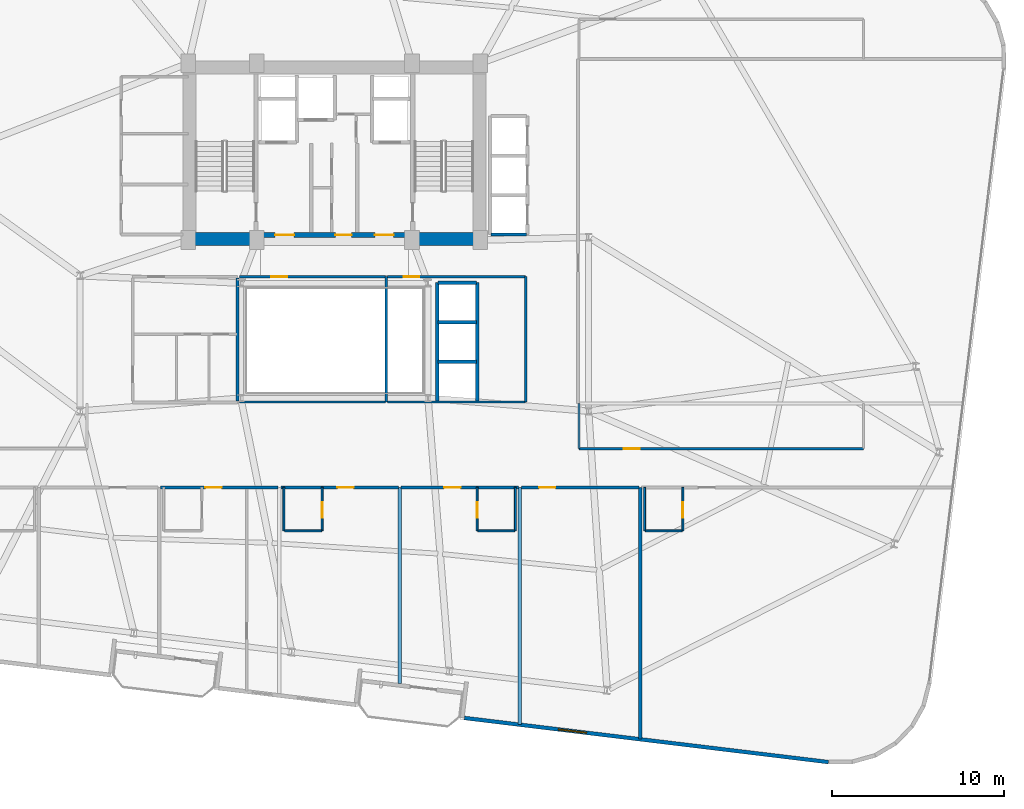
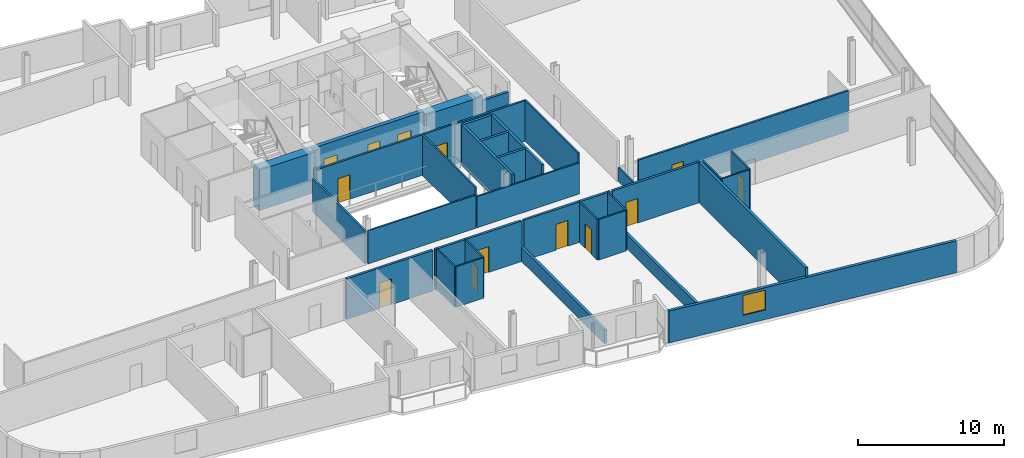
# One storey, part 21 of 26: 35 walls, 13 doors, 1 window, 14 openings.
"""IFC4 building model written with IfcOpenShell, lengths in metres."""

from ifc_helpers import new_model, si_unit, direction, frame, frame_2d, origin, place, context, subcontext, project, spatial, rectangle, extrude, material, layer, layer_set, type_object, element, fill, save


model = new_model("IFC4")

# Units and contexts
model_context = context("Model", 3, precision=1e-05, world=origin(), true_north=direction((0.0, 1.0)))
body_context = subcontext(model_context, "Body", "Model", "MODEL_VIEW")
ifc_project = project(units=[si_unit("LENGTHUNIT", "METRE"), si_unit("AREAUNIT", "SQUARE_METRE"), si_unit("VOLUMEUNIT", "CUBIC_METRE"), si_unit("PLANEANGLEUNIT", "RADIAN"), si_unit("MASSUNIT", "GRAM", prefix="KILO")], contexts=[model_context])

# Site, building, storey
site_placement = place(None, origin())
site = spatial("IfcSite", under=ifc_project, at=site_placement, CompositionType="ELEMENT")
building_placement = place(site_placement, origin())
building = spatial("IfcBuilding", under=site, at=building_placement, Name="Varnelok Gate Tower", CompositionType="ELEMENT")
storey_placement = place(building_placement, frame((0.0, 0.0, 158.699951171875)))
storey = spatial("IfcBuildingStorey", under=building, at=storey_placement, Name="L40", CompositionType="ELEMENT", Elevation=158.699951171875)

# Wall, opening, window
ifc_material_1 = material(Name="Concrete C45/55", Category="concrete")
ifc_layer_1 = layer(ifc_material_1, 0.219970703125)
ifc_layer_set_1 = layer_set([ifc_layer_1], Name="Concrete C45/55")
wall_type_1 = type_object("IfcWallType", Name="EW-BALC-220", PredefinedType="SOLIDWALL", material=ifc_layer_set_1)
wall_1_placement = place(storey_placement, frame((46.767578125, 0.93212890625, 0.0), z_axis=(0.0, 0.0, 1.0), x_axis=(0.992733036814, -0.120337515419, 0.0)))
wall_1 = element("IfcWall", 1, at=wall_1_placement, inside=storey, type_object=wall_type_1, Name="L40 Perimeter Facade Closure Wall 13", PredefinedType="SOLIDWALL", context=body_context, shape_type="SweptSolid", body=[
    extrude(rectangle(XDim=21.346923828125, YDim=0.219970703125, at=frame_2d((10.67333984375, 0.0))), origin(), (0.0, 0.0, 1.0), 2.66015625),
])
opening_1_placement = place(wall_1_placement, frame((5.51513671875, 0.0, 0.800048828125)))
opening_1 = element("IfcOpeningElement", 2, at=opening_1_placement, cuts=wall_1, Name="Opening WN3", PredefinedType="OPENING", context=body_context, shape_type="SweptSolid", body=[
    extrude(rectangle(XDim=1.64990234375, YDim=1.64990234375, at=frame_2d((0.824951171875, 0.824951171875))), frame((0.0, 0.119873046875, 0.0), z_axis=(0.0, -1.0, 0.0), x_axis=(1.0, 0.0, 0.0)), (0.0, 0.0, 1.0), 0.239990234375),
])
ifc_material_2 = material(Name="Low-E Laminated Double Glazing IGU", Category="glass")
window_type = type_object("IfcWindowType", Name="WN-HTL-1650", PartitioningType="SINGLE_PANEL", PredefinedType="WINDOW", material=ifc_material_2)
window_placement = place(opening_1_placement, origin())
window = element("IfcWindow", 3, at=window_placement, inside=storey, type_object=window_type, Name="L40 Perimeter Vision Window 13", OverallHeight=1.64990234375, OverallWidth=1.64990234375, PartitioningType="SINGLE_PANEL", PredefinedType="WINDOW", context=body_context, shape_type="SweptSolid", body=[
    extrude(rectangle(XDim=1.64990234375, YDim=1.64990234375, at=frame_2d((0.824951171875, 0.824951171875))), frame((0.0, 0.030029296875, 0.0), z_axis=(0.0, -1.0, 0.0), x_axis=(1.0, 0.0, 0.0)), (0.0, 0.0, 1.0), 0.06005859375),
])
fill(opening_1, window)

# Wall, opening, door
ifc_material_3 = material(Name="Gypsum Plasterboard Acoustic Partition", Category="gypsum")
ifc_layer_2 = layer(ifc_material_3, 0.179931640625)
ifc_layer_set_2 = layer_set([ifc_layer_2], Name="Gypsum Plasterboard Acoustic Partition")
wall_type_2 = type_object("IfcWallType", Name="PW-CORR-180", PredefinedType="PARTITIONING", material=ifc_layer_set_2)
wall_2_placement = place(storey_placement, frame((29.080078125, 14.35009765625, 0.0), z_axis=(0.0, 0.0, 1.0), x_axis=(1.0, 0.0, 0.0)))
wall_2 = element("IfcWall", 4, at=wall_2_placement, inside=storey, type_object=wall_type_2, Name="Interior Partition", PredefinedType="PARTITIONING", context=body_context, shape_type="SweptSolid", body=[
    extrude(rectangle(XDim=6.83984375, YDim=0.179931640625, at=frame_2d((3.419921875, 0.0))), origin(), (0.0, 0.0, 1.0), 3.380126953125),
])
opening_2_placement = place(wall_2_placement, frame((2.610107421875, 0.0, 0.0)))
opening_2 = element("IfcOpeningElement", 5, at=opening_2_placement, cuts=wall_2, Name="Opening D-HT", PredefinedType="OPENING", context=body_context, shape_type="SweptSolid", body=[
    extrude(rectangle(XDim=0.949951171875, YDim=2.14990234375, at=frame_2d((0.47509765625, 1.074951171875))), frame((0.0, 0.099853515625, 0.0), z_axis=(0.0, -1.0, 0.0), x_axis=(1.0, 0.0, 0.0)), (0.0, 0.0, 1.0), 0.199951171875),
])
ifc_material_4 = material(Name="Engineered Hardwood Timber", Category="wood")
door_type_1 = type_object("IfcDoorType", Name="DR-HTL-950", OperationType="NOTDEFINED", PredefinedType="DOOR", material=ifc_material_4)
door_1_placement = place(opening_2_placement, origin())
door_1 = element("IfcDoor", 6, at=door_1_placement, inside=storey, type_object=door_type_1, Name="L40 Guest Room 04 Entrance Door", OperationType="SINGLE_SWING_LEFT", OverallHeight=2.14990234375, OverallWidth=0.949951171875, PredefinedType="DOOR", context=body_context, shape_type="SweptSolid", body=[
    extrude(rectangle(XDim=0.949951171875, YDim=2.14990234375, at=frame_2d((0.47509765625, 1.074951171875))), frame((0.0, 0.02490234375, 0.0), z_axis=(0.0, -1.0, 0.0), x_axis=(1.0, 0.0, 0.0)), (0.0, 0.0, 1.0), 0.050048828125),
])
fill(opening_2, door_1)

wall_3_placement = place(storey_placement, frame((36.080078125, 14.35009765625, 0.0), z_axis=(0.0, 0.0, 1.0), x_axis=(1.0, 0.0, 0.0)))
wall_3 = element("IfcWall", 7, at=wall_3_placement, inside=storey, type_object=wall_type_2, Name="Interior Partition", PredefinedType="PARTITIONING", context=body_context, shape_type="SweptSolid", body=[
    extrude(rectangle(XDim=6.83984375, YDim=0.179931640625, at=frame_2d((3.419921875, 0.0))), origin(), (0.0, 0.0, 1.0), 3.380126953125),
])
opening_3_placement = place(wall_3_placement, frame((3.2900390625, 0.0, 0.0)))
opening_3 = element("IfcOpeningElement", 8, at=opening_3_placement, cuts=wall_3, Name="Opening D-HT", PredefinedType="OPENING", context=body_context, shape_type="SweptSolid", body=[
    extrude(rectangle(XDim=0.949951171875, YDim=2.14990234375, at=frame_2d((0.47509765625, 1.074951171875))), frame((0.0, 0.099853515625, 0.0), z_axis=(0.0, -1.0, 0.0), x_axis=(1.0, 0.0, 0.0)), (0.0, 0.0, 1.0), 0.199951171875),
])
door_2_placement = place(opening_3_placement, origin())
door_2 = element("IfcDoor", 9, at=door_2_placement, inside=storey, type_object=door_type_1, Name="L40 Guest Room 05 Entrance Door", OperationType="SINGLE_SWING_RIGHT", OverallHeight=2.14990234375, OverallWidth=0.949951171875, PredefinedType="DOOR", context=body_context, shape_type="SweptSolid", body=[
    extrude(rectangle(XDim=0.949951171875, YDim=2.14990234375, at=frame_2d((0.47509765625, 1.074951171875))), frame((0.0, 0.02490234375, 0.0), z_axis=(0.0, -1.0, 0.0), x_axis=(1.0, 0.0, 0.0)), (0.0, 0.0, 1.0), 0.050048828125),
])
fill(opening_3, door_2)

wall_4_placement = place(storey_placement, frame((43.080078125, 14.35009765625, 0.0), z_axis=(0.0, 0.0, 1.0), x_axis=(1.0, 0.0, 0.0)))
wall_4 = element("IfcWall", 10, at=wall_4_placement, inside=storey, type_object=wall_type_2, Name="Interior Partition", PredefinedType="PARTITIONING", context=body_context, shape_type="SweptSolid", body=[
    extrude(rectangle(XDim=6.83984375, YDim=0.179931640625, at=frame_2d((3.419921875, 0.0))), origin(), (0.0, 0.0, 1.0), 3.380126953125),
])
opening_4_placement = place(wall_4_placement, frame((2.514892578125, 0.0, 0.0)))
opening_4 = element("IfcOpeningElement", 11, at=opening_4_placement, cuts=wall_4, Name="Opening D-HT", PredefinedType="OPENING", context=body_context, shape_type="SweptSolid", body=[
    extrude(rectangle(XDim=0.949951171875, YDim=2.14990234375, at=frame_2d((0.47509765625, 1.074951171875))), frame((0.0, 0.099853515625, 0.0), z_axis=(0.0, -1.0, 0.0), x_axis=(1.0, 0.0, 0.0)), (0.0, 0.0, 1.0), 0.199951171875),
])
door_3_placement = place(opening_4_placement, origin())
door_3 = element("IfcDoor", 12, at=door_3_placement, inside=storey, type_object=door_type_1, Name="L40 Guest Room 06 Entrance Door", OperationType="SINGLE_SWING_LEFT", OverallHeight=2.14990234375, OverallWidth=0.949951171875, PredefinedType="DOOR", context=body_context, shape_type="SweptSolid", body=[
    extrude(rectangle(XDim=0.949951171875, YDim=2.14990234375, at=frame_2d((0.47509765625, 1.074951171875))), frame((0.0, 0.02490234375, 0.0), z_axis=(0.0, -1.0, 0.0), x_axis=(1.0, 0.0, 0.0)), (0.0, 0.0, 1.0), 0.050048828125),
])
fill(opening_4, door_3)

wall_5_placement = place(storey_placement, frame((50.080078125, 14.35009765625, 0.0), z_axis=(0.0, 0.0, 1.0), x_axis=(1.0, 0.0, 0.0)))
wall_5 = element("IfcWall", 13, at=wall_5_placement, inside=storey, type_object=wall_type_2, Name="Interior Partition", PredefinedType="PARTITIONING", context=body_context, shape_type="SweptSolid", body=[
    extrude(rectangle(XDim=6.83984375, YDim=0.179931640625, at=frame_2d((3.419921875, 0.0))), origin(), (0.0, 0.0, 1.0), 3.380126953125),
])
opening_5_placement = place(wall_5_placement, frame((1.03759765625, 0.0, 0.0)))
opening_5 = element("IfcOpeningElement", 14, at=opening_5_placement, cuts=wall_5, Name="Opening D-I2", PredefinedType="OPENING", context=body_context, shape_type="SweptSolid", body=[
    extrude(rectangle(XDim=0.949951171875, YDim=2.050048828125, at=frame_2d((0.47509765625, 1.02490234375))), frame((0.0, 0.099853515625, 0.0), z_axis=(0.0, -1.0, 0.0), x_axis=(1.0, 0.0, 0.0)), (0.0, 0.0, 1.0), 0.199951171875),
])
door_type_2 = type_object("IfcDoorType", Name="DR-INT-950", OperationType="NOTDEFINED", PredefinedType="DOOR", material=ifc_material_4)
door_4_placement = place(opening_5_placement, origin())
door_4 = element("IfcDoor", 15, at=door_4_placement, inside=storey, type_object=door_type_2, Name="L40 Wellness Spa Lounge Door", OperationType="SINGLE_SWING_LEFT", OverallHeight=2.050048828125, OverallWidth=0.949951171875, PredefinedType="DOOR", context=body_context, shape_type="SweptSolid", body=[
    extrude(rectangle(XDim=0.949951171875, YDim=2.050048828125, at=frame_2d((0.47509765625, 1.02490234375))), frame((0.0, 0.02490234375, 0.0), z_axis=(0.0, -1.0, 0.0), x_axis=(1.0, 0.0, 0.0)), (0.0, 0.0, 1.0), 0.050048828125),
])
fill(opening_5, door_4)

# Wall
ifc_layer_3 = layer(ifc_material_3, 0.114990234375)
ifc_layer_set_3 = layer_set([ifc_layer_3], Name="Gypsum Plasterboard Acoustic Partition")
wall_type_3 = type_object("IfcWallType", Name="PW-ENS-125", PredefinedType="PARTITIONING", material=ifc_layer_set_3)
wall_6_placement = place(storey_placement, frame((36.300048828125, 11.830078125, 0.0), z_axis=(0.0, 0.0, 1.0), x_axis=(1.0, 0.0, 0.0)))
element("IfcWall", 16, at=wall_6_placement, inside=storey, type_object=wall_type_3, Name="Interior Partition", PredefinedType="PARTITIONING", context=body_context, shape_type="SweptSolid", body=[
    extrude(rectangle(XDim=2.14990234375, YDim=0.114990234375, at=frame_2d((1.074951171875, 0.0))), origin(), (0.0, 0.0, 1.0), 3.380126953125),
])

# Wall, opening, door
wall_7_placement = place(storey_placement, frame((38.489990234375, 11.830078125, 0.0), z_axis=(0.0, 0.0, 1.0), x_axis=(0.0, 1.0, 0.0)))
wall_7 = element("IfcWall", 17, at=wall_7_placement, inside=storey, type_object=wall_type_3, Name="Interior Partition", PredefinedType="PARTITIONING", context=body_context, shape_type="SweptSolid", body=[
    extrude(rectangle(XDim=2.52001953125, YDim=0.114990234375, at=frame_2d((1.260009765625, 0.0))), origin(), (0.0, 0.0, 1.0), 3.380126953125),
])
opening_6_placement = place(wall_7_placement, frame((0.760009765625, 0.0, 0.0)))
opening_6 = element("IfcOpeningElement", 18, at=opening_6_placement, cuts=wall_7, Name="Opening D-WC", PredefinedType="OPENING", context=body_context, shape_type="SweptSolid", body=[
    extrude(rectangle(XDim=0.89990234375, YDim=2.050048828125, at=frame_2d((0.449951171875, 1.02490234375))), frame((0.0, 0.0673828125, 0.0), z_axis=(0.0, -1.0, 0.0), x_axis=(1.0, 0.0, 0.0)), (0.0, 0.0, 1.0), 0.135009765625),
])
door_type_3 = type_object("IfcDoorType", Name="DR-BATH-900", OperationType="NOTDEFINED", PredefinedType="DOOR", material=ifc_material_4)
door_5_placement = place(opening_6_placement, origin())
door_5 = element("IfcDoor", 19, at=door_5_placement, inside=storey, type_object=door_type_3, Name="L40 Guest En-Suite 05 Door", OperationType="SINGLE_SWING_LEFT", OverallHeight=2.050048828125, OverallWidth=0.89990234375, PredefinedType="DOOR", context=body_context, shape_type="SweptSolid", body=[
    extrude(rectangle(XDim=0.89990234375, YDim=2.050048828125, at=frame_2d((0.449951171875, 1.02490234375))), frame((0.0, 0.02490234375, 0.0), z_axis=(0.0, -1.0, 0.0), x_axis=(1.0, 0.0, 0.0)), (0.0, 0.0, 1.0), 0.050048828125),
])
fill(opening_6, door_5)

# Walls
wall_8_placement = place(storey_placement, frame((36.260009765625, 11.830078125, 0.0), z_axis=(0.0, 0.0, 1.0), x_axis=(0.0, 1.0, 0.0)))
element("IfcWall", 20, at=wall_8_placement, inside=storey, type_object=wall_type_3, Name="Interior Partition", PredefinedType="PARTITIONING", context=body_context, shape_type="SweptSolid", body=[
    extrude(rectangle(XDim=2.52001953125, YDim=0.114990234375, at=frame_2d((1.260009765625, 0.0))), origin(), (0.0, 0.0, 1.0), 3.380126953125),
])
wall_9_placement = place(storey_placement, frame((47.550048828125, 11.830078125, 0.0), z_axis=(0.0, 0.0, 1.0), x_axis=(1.0, 0.0, 0.0)))
element("IfcWall", 21, at=wall_9_placement, inside=storey, type_object=wall_type_3, Name="Interior Partition", PredefinedType="PARTITIONING", context=body_context, shape_type="SweptSolid", body=[
    extrude(rectangle(XDim=2.14990234375, YDim=0.114990234375, at=frame_2d((1.074951171875, 0.0))), origin(), (0.0, 0.0, 1.0), 3.380126953125),
])

# Wall, opening, door
wall_10_placement = place(storey_placement, frame((47.510009765625, 11.830078125, 0.0), z_axis=(0.0, 0.0, 1.0), x_axis=(0.0, 1.0, 0.0)))
wall_10 = element("IfcWall", 22, at=wall_10_placement, inside=storey, type_object=wall_type_3, Name="Interior Partition", PredefinedType="PARTITIONING", context=body_context, shape_type="SweptSolid", body=[
    extrude(rectangle(XDim=2.52001953125, YDim=0.114990234375, at=frame_2d((1.260009765625, 0.0))), origin(), (0.0, 0.0, 1.0), 3.380126953125),
])
opening_7_placement = place(wall_10_placement, frame((0.760009765625, 0.0, 0.0)))
opening_7 = element("IfcOpeningElement", 23, at=opening_7_placement, cuts=wall_10, Name="Opening D-WC", PredefinedType="OPENING", context=body_context, shape_type="SweptSolid", body=[
    extrude(rectangle(XDim=0.89990234375, YDim=2.050048828125, at=frame_2d((0.449951171875, 1.02490234375))), frame((0.0, 0.0673828125, 0.0), z_axis=(0.0, -1.0, 0.0), x_axis=(1.0, 0.0, 0.0)), (0.0, 0.0, 1.0), 0.135009765625),
])
door_6_placement = place(opening_7_placement, origin())
door_6 = element("IfcDoor", 24, at=door_6_placement, inside=storey, type_object=door_type_3, Name="L40 Guest En-Suite 06 Door", OperationType="SINGLE_SWING_RIGHT", OverallHeight=2.050048828125, OverallWidth=0.89990234375, PredefinedType="DOOR", context=body_context, shape_type="SweptSolid", body=[
    extrude(rectangle(XDim=0.89990234375, YDim=2.050048828125, at=frame_2d((0.449951171875, 1.02490234375))), frame((0.0, 0.02490234375, 0.0), z_axis=(0.0, -1.0, 0.0), x_axis=(1.0, 0.0, 0.0)), (0.0, 0.0, 1.0), 0.050048828125),
])
fill(opening_7, door_6)

# Walls
wall_11_placement = place(storey_placement, frame((49.739990234375, 11.830078125, 0.0), z_axis=(0.0, 0.0, 1.0), x_axis=(0.0, 1.0, 0.0)))
element("IfcWall", 25, at=wall_11_placement, inside=storey, type_object=wall_type_3, Name="Interior Partition", PredefinedType="PARTITIONING", context=body_context, shape_type="SweptSolid", body=[
    extrude(rectangle(XDim=2.52001953125, YDim=0.114990234375, at=frame_2d((1.260009765625, 0.0))), origin(), (0.0, 0.0, 1.0), 3.380126953125),
])
wall_12_placement = place(storey_placement, frame((57.300048828125, 11.830078125, 0.0), z_axis=(0.0, 0.0, 1.0), x_axis=(1.0, 0.0, 0.0)))
element("IfcWall", 26, at=wall_12_placement, inside=storey, type_object=wall_type_3, Name="Interior Partition", PredefinedType="PARTITIONING", context=body_context, shape_type="SweptSolid", body=[
    extrude(rectangle(XDim=2.14990234375, YDim=0.114990234375, at=frame_2d((1.074951171875, 0.0))), origin(), (0.0, 0.0, 1.0), 3.380126953125),
])

# Wall, opening, door
wall_13_placement = place(storey_placement, frame((59.489990234375, 11.830078125, 0.0), z_axis=(0.0, 0.0, 1.0), x_axis=(0.0, 1.0, 0.0)))
wall_13 = element("IfcWall", 27, at=wall_13_placement, inside=storey, type_object=wall_type_3, Name="Interior Partition", PredefinedType="PARTITIONING", context=body_context, shape_type="SweptSolid", body=[
    extrude(rectangle(XDim=2.52001953125, YDim=0.114990234375, at=frame_2d((1.260009765625, 0.0))), origin(), (0.0, 0.0, 1.0), 3.380126953125),
])
opening_8_placement = place(wall_13_placement, frame((0.760009765625, 0.0, 0.0)))
opening_8 = element("IfcOpeningElement", 28, at=opening_8_placement, cuts=wall_13, Name="Opening D-WC", PredefinedType="OPENING", context=body_context, shape_type="SweptSolid", body=[
    extrude(rectangle(XDim=0.89990234375, YDim=2.050048828125, at=frame_2d((0.449951171875, 1.02490234375))), frame((0.0, 0.0673828125, 0.0), z_axis=(0.0, -1.0, 0.0), x_axis=(1.0, 0.0, 0.0)), (0.0, 0.0, 1.0), 0.135009765625),
])
door_7_placement = place(opening_8_placement, origin())
door_7 = element("IfcDoor", 29, at=door_7_placement, inside=storey, type_object=door_type_3, Name="L40 Guest En-Suite 08 Door", OperationType="SINGLE_SWING_LEFT", OverallHeight=2.050048828125, OverallWidth=0.89990234375, PredefinedType="DOOR", context=body_context, shape_type="SweptSolid", body=[
    extrude(rectangle(XDim=0.89990234375, YDim=2.050048828125, at=frame_2d((0.449951171875, 1.02490234375))), frame((0.0, 0.02490234375, 0.0), z_axis=(0.0, -1.0, 0.0), x_axis=(1.0, 0.0, 0.0)), (0.0, 0.0, 1.0), 0.050048828125),
])
fill(opening_8, door_7)

# Walls
wall_14_placement = place(storey_placement, frame((57.260009765625, 11.830078125, 0.0), z_axis=(0.0, 0.0, 1.0), x_axis=(0.0, 1.0, 0.0)))
element("IfcWall", 30, at=wall_14_placement, inside=storey, type_object=wall_type_3, Name="Interior Partition", PredefinedType="PARTITIONING", context=body_context, shape_type="SweptSolid", body=[
    extrude(rectangle(XDim=2.52001953125, YDim=0.114990234375, at=frame_2d((1.260009765625, 0.0))), origin(), (0.0, 0.0, 1.0), 3.380126953125),
])
ifc_layer_4 = layer(ifc_material_3, 0.125)
ifc_layer_set_4 = layer_set([ifc_layer_4], Name="Gypsum Plasterboard Acoustic Partition")
wall_type_4 = type_object("IfcWallType", Name="PW-PART-125", PredefinedType="PARTITIONING", material=ifc_layer_set_4)
wall_15_placement = place(storey_placement, frame((33.679931640625, 19.320068359375, 0.0), z_axis=(0.0, 0.0, 1.0), x_axis=(1.0, 0.0, 0.0)))
element("IfcWall", 31, at=wall_15_placement, inside=storey, type_object=wall_type_4, Name="Interior Partition", PredefinedType="PARTITIONING", context=body_context, shape_type="SweptSolid", body=[
    extrude(rectangle(XDim=8.5, YDim=0.125, at=frame_2d((4.25, 0.0))), origin(), (0.0, 0.0, 1.0), 2.754150390625),
])
wall_16_placement = place(storey_placement, frame((42.219970703125, 19.320068359375, 0.0), z_axis=(0.0, 0.0, 1.0), x_axis=(0.0, 1.0, 0.0)))
element("IfcWall", 32, at=wall_16_placement, inside=storey, type_object=wall_type_4, Name="Interior Partition", PredefinedType="PARTITIONING", context=body_context, shape_type="SweptSolid", body=[
    extrude(rectangle(XDim=7.300048828125, YDim=0.125, at=frame_2d((3.64990234375, 0.0))), origin(), (0.0, 0.0, 1.0), 3.380126953125),
])
wall_17_placement = place(storey_placement, frame((42.280029296875, 19.320068359375, 0.0), z_axis=(0.0, 0.0, 1.0), x_axis=(1.0, 0.0, 0.0)))
element("IfcWall", 33, at=wall_17_placement, inside=storey, type_object=wall_type_4, Name="Interior Partition", PredefinedType="PARTITIONING", context=body_context, shape_type="SweptSolid", body=[
    extrude(rectangle(XDim=8.06005859375, YDim=0.125, at=frame_2d((4.030029296875, 0.0))), origin(), (0.0, 0.0, 1.0), 2.592041015625),
])
wall_18_placement = place(storey_placement, frame((50.340087890625, 19.320068359375, 0.0), z_axis=(0.0, 0.0, 1.0), x_axis=(0.0, 1.0, 0.0)))
element("IfcWall", 34, at=wall_18_placement, inside=storey, type_object=wall_type_4, Name="Interior Partition", PredefinedType="PARTITIONING", context=body_context, shape_type="SweptSolid", body=[
    extrude(rectangle(XDim=7.300048828125, YDim=0.125, at=frame_2d((3.64990234375, 0.0))), origin(), (0.0, 0.0, 1.0), 3.380126953125),
])
wall_19_placement = place(storey_placement, frame((53.449951171875, 16.610107421875, 0.0), z_axis=(0.0, 0.0, 1.0), x_axis=(0.0, 1.0, 0.0)))
element("IfcWall", 35, at=wall_19_placement, inside=storey, type_object=wall_type_4, Name="Interior Partition", PredefinedType="PARTITIONING", context=body_context, shape_type="SweptSolid", body=[
    extrude(rectangle(XDim=2.6298828125, YDim=0.125, at=frame_2d((1.31494140625, 0.0))), origin(), (0.0, 0.0, 1.0), 1.1650390625),
])

# Wall, opening, door
ifc_layer_5 = layer(ifc_material_3, 0.14990234375)
ifc_layer_set_5 = layer_set([ifc_layer_5], Name="Gypsum Plasterboard Acoustic Partition")
wall_type_5 = type_object("IfcWallType", Name="PW-PART-150", PredefinedType="PARTITIONING", material=ifc_layer_set_5)
wall_20_placement = place(storey_placement, frame((33.679931640625, 26.6201171875, 0.0), z_axis=(0.0, 0.0, 1.0), x_axis=(1.0, 0.0, 0.0)))
wall_20 = element("IfcWall", 36, at=wall_20_placement, inside=storey, type_object=wall_type_5, Name="Interior Partition", PredefinedType="PARTITIONING", context=body_context, shape_type="SweptSolid", body=[
    extrude(rectangle(XDim=8.5, YDim=0.14990234375, at=frame_2d((4.25, 0.0))), origin(), (0.0, 0.0, 1.0), 3.380126953125),
])
opening_9_placement = place(wall_20_placement, frame((1.85009765625, 0.0, 0.0)))
opening_9 = element("IfcOpeningElement", 37, at=opening_9_placement, cuts=wall_20, Name="Opening D-I3", PredefinedType="OPENING", context=body_context, shape_type="SweptSolid", body=[
    extrude(rectangle(XDim=0.919921875, YDim=2.050048828125, at=frame_2d((0.4599609375, 1.02490234375))), frame((0.0, 0.0849609375, 0.0), z_axis=(0.0, -1.0, 0.0), x_axis=(1.0, 0.0, 0.0)), (0.0, 0.0, 1.0), 0.169921875),
])
door_type_4 = type_object("IfcDoorType", Name="DR-INT-920", OperationType="NOTDEFINED", PredefinedType="DOOR", material=ifc_material_4)
door_8_placement = place(opening_9_placement, origin())
door_8 = element("IfcDoor", 38, at=door_8_placement, inside=storey, type_object=door_type_4, Name="L40 Concierge Reading Salon Door", OperationType="SINGLE_SWING_RIGHT", OverallHeight=2.050048828125, OverallWidth=0.919921875, PredefinedType="DOOR", context=body_context, shape_type="SweptSolid", body=[
    extrude(rectangle(XDim=0.919921875, YDim=2.050048828125, at=frame_2d((0.4599609375, 1.02490234375))), frame((0.0, 0.02490234375, 0.0), z_axis=(0.0, -1.0, 0.0), x_axis=(1.0, 0.0, 0.0)), (0.0, 0.0, 1.0), 0.050048828125),
])
fill(opening_9, door_8)

wall_21_placement = place(storey_placement, frame((42.280029296875, 26.6201171875, 0.0), z_axis=(0.0, 0.0, 1.0), x_axis=(1.0, 0.0, 0.0)))
wall_21 = element("IfcWall", 39, at=wall_21_placement, inside=storey, type_object=wall_type_5, Name="Interior Partition", PredefinedType="PARTITIONING", context=body_context, shape_type="SweptSolid", body=[
    extrude(rectangle(XDim=8.06005859375, YDim=0.14990234375, at=frame_2d((4.030029296875, 0.0))), origin(), (0.0, 0.0, 1.0), 3.380126953125),
])
opening_10_placement = place(wall_21_placement, frame((0.95361328125, 0.0, 0.0)))
opening_10 = element("IfcOpeningElement", 40, at=opening_10_placement, cuts=wall_21, Name="Opening D-I3", PredefinedType="OPENING", context=body_context, shape_type="SweptSolid", body=[
    extrude(rectangle(XDim=0.919921875, YDim=2.050048828125, at=frame_2d((0.4599609375, 1.02490234375))), frame((0.0, 0.0849609375, 0.0), z_axis=(0.0, -1.0, 0.0), x_axis=(1.0, 0.0, 0.0)), (0.0, 0.0, 1.0), 0.169921875),
])
door_9_placement = place(opening_10_placement, origin())
door_9 = element("IfcDoor", 41, at=door_9_placement, inside=storey, type_object=door_type_4, Name="L40 Executive Briefing Room Door", OperationType="SINGLE_SWING_LEFT", OverallHeight=2.050048828125, OverallWidth=0.919921875, PredefinedType="DOOR", context=body_context, shape_type="SweptSolid", body=[
    extrude(rectangle(XDim=0.919921875, YDim=2.050048828125, at=frame_2d((0.4599609375, 1.02490234375))), frame((0.0, 0.02490234375, 0.0), z_axis=(0.0, -1.0, 0.0), x_axis=(1.0, 0.0, 0.0)), (0.0, 0.0, 1.0), 0.050048828125),
])
fill(opening_10, door_9)

wall_22_placement = place(storey_placement, frame((53.449951171875, 16.610107421875, 0.0), z_axis=(0.0, 0.0, 1.0), x_axis=(1.0, 0.0, 0.0)))
wall_22 = element("IfcWall", 42, at=wall_22_placement, inside=storey, type_object=wall_type_5, Name="Interior Partition", PredefinedType="PARTITIONING", context=body_context, shape_type="SweptSolid", body=[
    extrude(rectangle(XDim=16.550048828125, YDim=0.14990234375, at=frame_2d((8.27490234375, 0.0))), origin(), (0.0, 0.0, 1.0), 3.380126953125),
])
opening_11_placement = place(wall_22_placement, frame((2.610107421875, 0.0, 0.0)))
opening_11 = element("IfcOpeningElement", 43, at=opening_11_placement, cuts=wall_22, Name="Opening D-I3", PredefinedType="OPENING", context=body_context, shape_type="SweptSolid", body=[
    extrude(rectangle(XDim=0.919921875, YDim=2.050048828125, at=frame_2d((0.4599609375, 1.02490234375))), frame((0.0, 0.0849609375, 0.0), z_axis=(0.0, -1.0, 0.0), x_axis=(1.0, 0.0, 0.0)), (0.0, 0.0, 1.0), 0.169921875),
])
door_10_placement = place(opening_11_placement, origin())
door_10 = element("IfcDoor", 44, at=door_10_placement, inside=storey, type_object=door_type_4, Name="L40 Atrium Room 2 Door", OperationType="SINGLE_SWING_LEFT", OverallHeight=2.050048828125, OverallWidth=0.919921875, PredefinedType="DOOR", context=body_context, shape_type="SweptSolid", body=[
    extrude(rectangle(XDim=0.919921875, YDim=2.050048828125, at=frame_2d((0.4599609375, 1.02490234375))), frame((0.0, 0.02490234375, 0.0), z_axis=(0.0, -1.0, 0.0), x_axis=(1.0, 0.0, 0.0)), (0.0, 0.0, 1.0), 0.050048828125),
])
fill(opening_11, door_10)

# Walls
wall_23_placement = place(storey_placement, frame((33.56005859375, 19.3798828125, 0.0), z_axis=(0.0, 0.0, 1.0), x_axis=(0.0, 1.0, 0.0)))
element("IfcWall", 45, at=wall_23_placement, inside=storey, type_object=wall_type_5, Name="Interior Partition", PredefinedType="PARTITIONING", context=body_context, shape_type="SweptSolid", body=[
    extrude(rectangle(XDim=7.16015625, YDim=0.14990234375, at=frame_2d((3.580078125, 0.0))), origin(), (0.0, 0.0, 1.0), 2.754150390625),
])
ifc_layer_6 = layer(ifc_material_3, 0.205078125)
ifc_layer_set_6 = layer_set([ifc_layer_6], Name="Gypsum Plasterboard Acoustic Partition")
wall_type_6 = type_object("IfcWallType", Name="PW-PARTY-200", PredefinedType="PARTITIONING", material=ifc_layer_set_6)
wall_24_placement = place(storey_placement, frame((43.0, 2.934326171875, 0.0), z_axis=(0.0, 0.0, 1.0), x_axis=(0.0, 1.0, 0.0)))
element("IfcWall", 46, at=wall_24_placement, inside=storey, type_object=wall_type_6, Name="L40 South Party Wall 5", PredefinedType="PARTITIONING", context=body_context, shape_type="SweptSolid", body=[
    extrude(rectangle(XDim=11.415771484375, YDim=0.205078125, at=frame_2d((5.7080078125, 0.0))), origin(), (0.0, 0.0, 1.0), 1.1650390625),
])
wall_25_placement = place(storey_placement, frame((50.0, 0.560546875, 0.0), z_axis=(0.0, 0.0, 1.0), x_axis=(0.0, 1.0, 0.0)))
element("IfcWall", 47, at=wall_25_placement, inside=storey, type_object=wall_type_6, Name="L40 South Party Wall 6", PredefinedType="PARTITIONING", context=body_context, shape_type="SweptSolid", body=[
    extrude(rectangle(XDim=13.78955078125, YDim=0.205078125, at=frame_2d((6.894775390625, 0.0))), origin(), (0.0, 0.0, 1.0), 1.1650390625),
])
wall_26_placement = place(storey_placement, frame((57.0, -0.2880859375, 0.0), z_axis=(0.0, 0.0, 1.0), x_axis=(0.0, 1.0, 0.0)))
element("IfcWall", 48, at=wall_26_placement, inside=storey, type_object=wall_type_6, Name="L40 South Party Wall 7", PredefinedType="PARTITIONING", context=body_context, shape_type="SweptSolid", body=[
    extrude(rectangle(XDim=14.63818359375, YDim=0.205078125, at=frame_2d((7.319091796875, 0.0))), origin(), (0.0, 0.0, 1.0), 3.380126953125),
])
ifc_material_5 = material(Name="Concrete C35/45", Category="concrete")
ifc_layer_7 = layer(ifc_material_5, 0.199951171875)
ifc_layer_set_7 = layer_set([ifc_layer_7], Name="Concrete C35/45")
wall_type_7 = type_object("IfcWallType", Name="PW-SHAFT-200", PredefinedType="PARTITIONING", material=ifc_layer_set_7)
wall_27_placement = place(storey_placement, frame((48.320068359375, 29.080078125, 0.0), z_axis=(0.0, 0.0, 1.0), x_axis=(1.0, 0.0, 0.0)))
element("IfcWall", 49, at=wall_27_placement, inside=storey, type_object=wall_type_7, Name="L40 PM Bank South Wall", PredefinedType="PARTITIONING", context=body_context, shape_type="SweptSolid", body=[
    extrude(rectangle(XDim=2.059814453125, YDim=0.199951171875, at=frame_2d((1.02978515625, 0.0))), origin(), (0.0, 0.0, 1.0), 2.592041015625),
])
for number, where, z_axis, x_axis, name in (
    (50, (45.239990234375, 21.675048828125, 0.0), (0.0, 0.0, 1.0), (1.0, 0.0, 0.0), "L40 PH1 Divider"),
    (51, (45.239990234375, 23.97509765625, 0.0), (0.0, 0.0, 1.0), (1.0, 0.0, 0.0), "L40 PH2 Divider"),
    (52, (45.239990234375, 26.280029296875, 0.0), (0.0, 0.0, 1.0), (1.0, 0.0, 0.0), "L40 PH Bank North Wall"),
):
    element("IfcWall", number, at=place(storey_placement, frame(where, z_axis=z_axis, x_axis=x_axis)), inside=storey, type_object=wall_type_7, Name=name, PredefinedType="PARTITIONING", context=body_context, shape_type="SweptSolid", body=[
        extrude(rectangle(XDim=2.219970703125, YDim=0.199951171875, at=frame_2d((1.10986328125, 0.0))), origin(), (0.0, 0.0, 1.0), 3.380126953125),
    ])
for number, where, z_axis, x_axis, name in (
    (53, (45.179931640625, 19.3798828125, 0.0), (0.0, 0.0, 1.0), (0.0, 1.0, 0.0), "L40 PH Bank Atrium Wall"),
    (54, (47.52001953125, 19.3798828125, 0.0), (0.0, 0.0, 1.0), (0.0, 1.0, 0.0), "L40 PH Bank Front Wall"),
):
    element("IfcWall", number, at=place(storey_placement, frame(where, z_axis=z_axis, x_axis=x_axis)), inside=storey, type_object=wall_type_7, Name=name, PredefinedType="PARTITIONING", context=body_context, shape_type="SweptSolid", body=[
        extrude(rectangle(XDim=6.900146484375, YDim=0.199951171875, at=frame_2d((3.4501953125, 0.0))), origin(), (0.0, 0.0, 1.0), 3.380126953125),
    ])
ifc_material_6 = material(Name="Concrete C70/85", Category="concrete")
ifc_layer_8 = layer(ifc_material_6, 0.75)
ifc_layer_set_8 = layer_set([ifc_layer_8], Name="Concrete C70/85")
wall_type_8 = type_object("IfcWallType", Name="SW-CORE-750", PredefinedType="SHEAR", material=ifc_layer_set_8)
wall_28_placement = place(storey_placement, frame((30.3798828125, 28.824951171875, 0.0), z_axis=(0.0, 0.0, 1.0), x_axis=(1.0, 0.0, 0.0)))
element("IfcWall", 55, at=wall_28_placement, inside=storey, type_object=wall_type_8, Name="L40 Rear Core South-West Shear Wall", PredefinedType="SHEAR", context=body_context, shape_type="SweptSolid", body=[
    extrude(rectangle(XDim=4.420166015625, YDim=0.75, at=frame_2d((2.2099609375, 0.0))), origin(), (0.0, 0.0, 1.0), 3.380126953125),
])
wall_29_placement = place(storey_placement, frame((43.60009765625, 28.824951171875, 0.0), z_axis=(0.0, 0.0, 1.0), x_axis=(1.0, 0.0, 0.0)))
element("IfcWall", 56, at=wall_29_placement, inside=storey, type_object=wall_type_8, Name="L40 Rear Core South-East Shear Wall", PredefinedType="SHEAR", context=body_context, shape_type="SweptSolid", body=[
    extrude(rectangle(XDim=4.419921875, YDim=0.75, at=frame_2d((2.2099609375, 0.0))), origin(), (0.0, 0.0, 1.0), 3.380126953125),
])

# Wall, openings, doors
ifc_material_7 = material(Name="Concrete C60/75", Category="concrete")
ifc_layer_9 = layer(ifc_material_7, 0.300048828125)
ifc_layer_set_9 = layer_set([ifc_layer_9], Name="Concrete C60/75")
wall_type_9 = type_object("IfcWallType", Name="SW-SHAFT-300", PredefinedType="SHEAR", material=ifc_layer_set_9)
wall_30_placement = place(storey_placement, frame((34.800048828125, 29.050048828125, 0.0), z_axis=(0.0, 0.0, 1.0), x_axis=(1.0, 0.0, 0.0)))
wall_30 = element("IfcWall", 57, at=wall_30_placement, inside=storey, type_object=wall_type_9, Name="L40 Rear Core Central Lobby Shear Wall", PredefinedType="SHEAR", context=body_context, shape_type="SweptSolid", body=[
    extrude(rectangle(XDim=8.800048828125, YDim=0.300048828125, at=frame_2d((4.39990234375, 0.0))), origin(), (0.0, 0.0, 1.0), 3.380126953125),
])
opening_12_placement = place(wall_30_placement, frame((0.949951171875, 0.0, 0.0)))
opening_12 = element("IfcOpeningElement", 58, at=opening_12_placement, cuts=wall_30, Name="Opening D-FF", PredefinedType="OPENING", context=body_context, shape_type="SweptSolid", body=[
    extrude(rectangle(XDim=1.10009765625, YDim=2.14990234375, at=frame_2d((0.550048828125, 1.074951171875))), frame((0.0, 0.159912109375, 0.0), z_axis=(0.0, -1.0, 0.0), x_axis=(1.0, 0.0, 0.0)), (0.0, 0.0, 1.0), 0.320068359375),
])
opening_13_placement = place(wall_30_placement, frame((6.75, 0.0, 0.0)))
opening_13 = element("IfcOpeningElement", 59, at=opening_13_placement, cuts=wall_30, Name="Opening D-FF", PredefinedType="OPENING", context=body_context, shape_type="SweptSolid", body=[
    extrude(rectangle(XDim=1.10009765625, YDim=2.14990234375, at=frame_2d((0.550048828125, 1.074951171875))), frame((0.0, 0.159912109375, 0.0), z_axis=(0.0, -1.0, 0.0), x_axis=(1.0, 0.0, 0.0)), (0.0, 0.0, 1.0), 0.320068359375),
])
opening_14_placement = place(wall_30_placement, frame((4.449951171875, 0.0, 0.0)))
opening_14 = element("IfcOpeningElement", 60, at=opening_14_placement, cuts=wall_30, Name="Opening D-CR", PredefinedType="OPENING", context=body_context, shape_type="SweptSolid", body=[
    extrude(rectangle(XDim=0.949951171875, YDim=2.14990234375, at=frame_2d((0.47509765625, 1.074951171875))), frame((0.0, 0.159912109375, 0.0), z_axis=(0.0, -1.0, 0.0), x_axis=(1.0, 0.0, 0.0)), (0.0, 0.0, 1.0), 0.320068359375),
])
ifc_material_8 = material(Name="Galvanized Steel Grade S350GD", Category="steel")
door_type_5 = type_object("IfcDoorType", Name="DR-CORR-950", OperationType="NOTDEFINED", PredefinedType="DOOR", material=ifc_material_8)
door_11_placement = place(opening_14_placement, origin())
door_11 = element("IfcDoor", 61, at=door_11_placement, inside=storey, type_object=door_type_5, Name="L40 Core Service Passage Door", OperationType="SINGLE_SWING_LEFT", OverallHeight=2.14990234375, OverallWidth=0.949951171875, PredefinedType="DOOR", context=body_context, shape_type="SweptSolid", body=[
    extrude(rectangle(XDim=0.949951171875, YDim=2.14990234375, at=frame_2d((0.47509765625, 1.074951171875))), frame((0.0, 0.02490234375, 0.0), z_axis=(0.0, -1.0, 0.0), x_axis=(1.0, 0.0, 0.0)), (0.0, 0.0, 1.0), 0.050048828125),
])
fill(opening_14, door_11)
door_type_6 = type_object("IfcDoorType", Name="DR-FFLOB-1100", OperationType="NOTDEFINED", PredefinedType="DOOR", material=ifc_material_8)
door_12_placement = place(opening_12_placement, origin())
door_12 = element("IfcDoor", 62, at=door_12_placement, inside=storey, type_object=door_type_6, Name="L40 West Firefighting Lobby Fire Door", OperationType="SINGLE_SWING_RIGHT", OverallHeight=2.14990234375, OverallWidth=1.10009765625, PredefinedType="DOOR", context=body_context, shape_type="SweptSolid", body=[
    extrude(rectangle(XDim=1.10009765625, YDim=2.14990234375, at=frame_2d((0.550048828125, 1.074951171875))), frame((0.0, 0.02490234375, 0.0), z_axis=(0.0, -1.0, 0.0), x_axis=(1.0, 0.0, 0.0)), (0.0, 0.0, 1.0), 0.050048828125),
])
fill(opening_12, door_12)
door_13_placement = place(opening_13_placement, origin())
door_13 = element("IfcDoor", 63, at=door_13_placement, inside=storey, type_object=door_type_6, Name="L40 East Firefighting Lobby Fire Door", OperationType="SINGLE_SWING_LEFT", OverallHeight=2.14990234375, OverallWidth=1.10009765625, PredefinedType="DOOR", context=body_context, shape_type="SweptSolid", body=[
    extrude(rectangle(XDim=1.10009765625, YDim=2.14990234375, at=frame_2d((0.550048828125, 1.074951171875))), frame((0.0, 0.02490234375, 0.0), z_axis=(0.0, -1.0, 0.0), x_axis=(1.0, 0.0, 0.0)), (0.0, 0.0, 1.0), 0.050048828125),
])
fill(opening_13, door_13)

save(model, "model.ifc")
